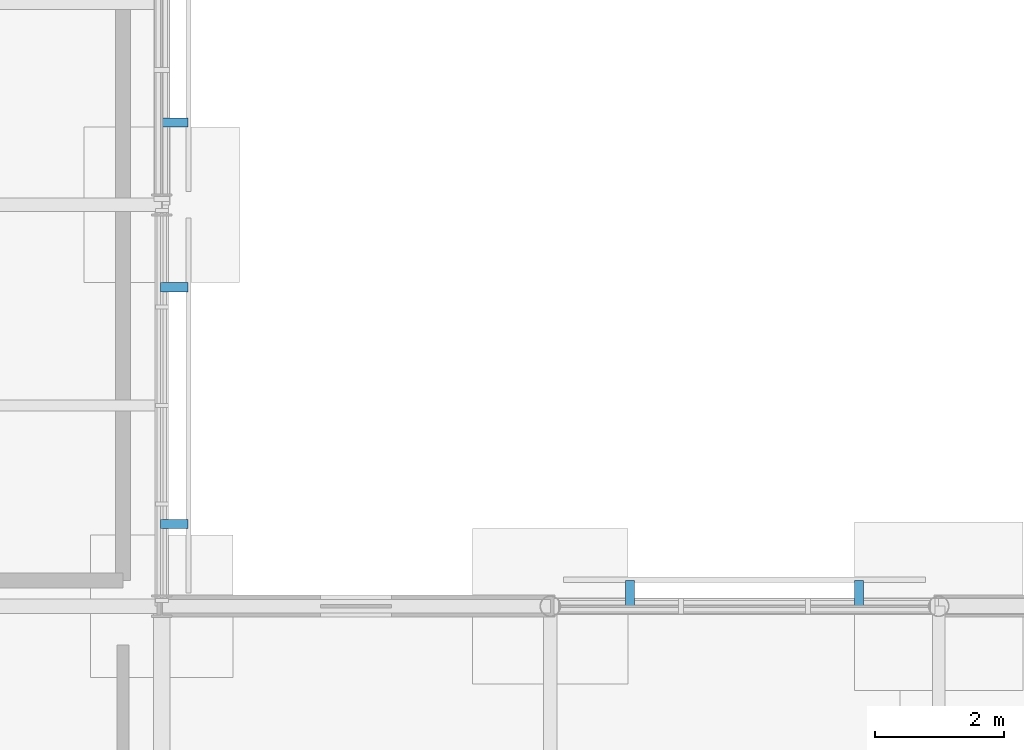
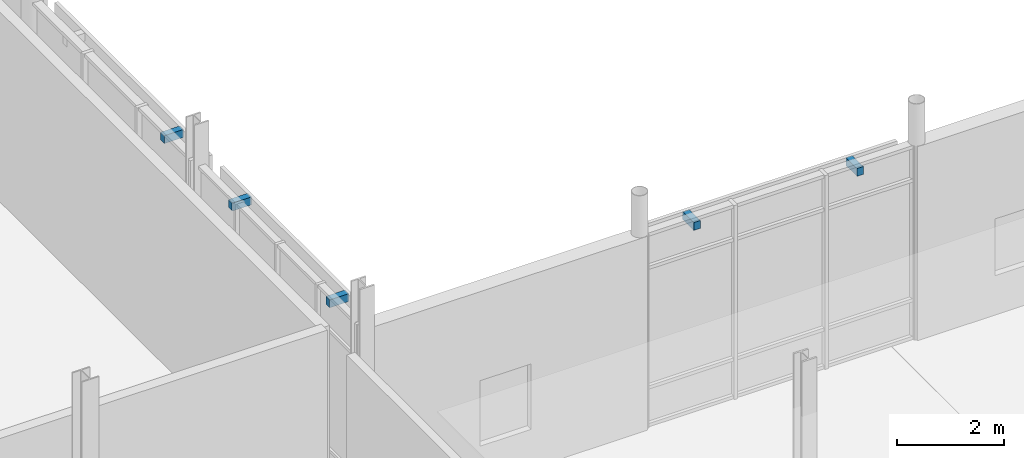
# One storey, part 86 of 98: 5 discrete accessories.
"""IFC4 building model written with IfcOpenShell, lengths in metres."""

import ifcopenshell
import ifcopenshell.guid

model = None  # the IFC model being written
_history = None  # IfcOwnerHistory: only IFC2X3 demands one
_inside = {}  # id of a spatial element -> (the spatial element, [elements in it])
_under = {}  # id of a project, library or spatial element -> (it, [spatial elements below it])
_declared = {}  # id of a project -> (the project, [libraries it declares])
_typed = {}  # id of a type object -> (the type object, [elements of that type])
_made_of = {}  # id of a material, layer set ... -> (it, [elements and type objects made of it])


def new_model(schema):
    """Start an empty IFC model of exactly this schema.

    Asked for "IFC4X3", IfcOpenShell would pick the latest addendum, in which some entities
    have other attributes; the version numbers below select the first issue.
    IFC2X3 requires an IfcOwnerHistory on every rooted entity: one is made here for all.
    """
    global model, _history
    if schema == "IFC4X3":
        model = ifcopenshell.file(schema_version=(4, 3, 0, 0))
    else:
        model = ifcopenshell.file(schema=schema)
    _inside.clear()
    _under.clear()
    _declared.clear()
    _typed.clear()
    _made_of.clear()
    _history = None
    if model.schema == "IFC2X3":
        org = make("IfcOrganization", Name="unknown")
        user = make(
            "IfcPersonAndOrganization",
            ThePerson=make("IfcPerson", FamilyName="unknown"),
            TheOrganization=org,
        )
        app = make(
            "IfcApplication",
            ApplicationDeveloper=org,
            Version="unknown",
            ApplicationFullName="unknown",
            ApplicationIdentifier="unknown",
        )
        _history = make(
            "IfcOwnerHistory",
            OwningUser=user,
            OwningApplication=app,
            ChangeAction="ADDED",
            CreationDate=0,
        )
    return model


def make(cls, **values):
    """One entity of the class cls with the attributes given. An attribute that is None is left unset."""
    return model.create_entity(
        cls, **{name: value for name, value in values.items() if value is not None}
    )


def rooted(cls, **values):
    """An entity with a GlobalId (a new one), such as an element, a storey or a relation."""
    return make(cls, GlobalId=ifcopenshell.guid.new(), OwnerHistory=_history, **values)


def si_unit(unit_type, name, prefix=None):
    """IfcSIUnit, for example si_unit("LENGTHUNIT", "METRE", prefix="MILLI")."""
    return make("IfcSIUnit", UnitType=unit_type, Prefix=prefix, Name=name)


def assignment(units):
    """IfcUnitAssignment: the units of a project."""
    return None if units is None else make("IfcUnitAssignment", Units=units)


def point(xyz):
    """IfcCartesianPoint."""
    return None if xyz is None else make("IfcCartesianPoint", Coordinates=xyz)


def direction(xyz):
    """IfcDirection."""
    return None if xyz is None else make("IfcDirection", DirectionRatios=xyz)


def frame(location, z_axis=None, x_axis=None):
    """IfcAxis2Placement3D, a coordinate frame: its origin and axes. An axis left out is left unset."""
    return make(
        "IfcAxis2Placement3D",
        Location=point(location),
        Axis=direction(z_axis),
        RefDirection=direction(x_axis),
    )


def frame_2d(location, x_axis=None):
    """IfcAxis2Placement2D, a coordinate frame in the plane: its origin and x axis."""
    return make(
        "IfcAxis2Placement2D", Location=point(location), RefDirection=direction(x_axis)
    )


def origin():
    """The frame at (0, 0, 0) with its axes left unset."""
    return frame((0.0, 0.0, 0.0))


def origin_2d():
    """The frame at (0, 0) in the plane with its x axis left unset."""
    return frame_2d((0.0, 0.0))


def place(relative_to, where):
    """IfcLocalPlacement: puts the frame where relative to a parent placement (None: the world)."""
    return make(
        "IfcLocalPlacement", PlacementRelTo=relative_to, RelativePlacement=where
    )


def context(
    kind, dimensions, precision=None, world=None, true_north=None, identifier=None
):
    """IfcGeometricRepresentationContext, for example the 3D "Model" context."""
    return make(
        "IfcGeometricRepresentationContext",
        ContextIdentifier=identifier,
        ContextType=kind,
        CoordinateSpaceDimension=dimensions,
        Precision=precision,
        WorldCoordinateSystem=world,
        TrueNorth=true_north,
    )


def subcontext(parent, identifier, kind, view, scale=None):
    """IfcGeometricRepresentationSubContext, for example "Body" below "Model"."""
    return make(
        "IfcGeometricRepresentationSubContext",
        ContextIdentifier=identifier,
        ContextType=kind,
        ParentContext=parent,
        TargetScale=scale,
        TargetView=view,
    )


def project(units=None, contexts=None):
    """IfcProject with its units and contexts."""
    return rooted(
        "IfcProject",
        Name="project",
        RepresentationContexts=contexts,
        UnitsInContext=assignment(units),
    )


def spatial(cls, under=None, at=None, **own):
    """A site, building, storey or space (cls), placed at a placement, below another one or the project."""
    s = rooted(cls, ObjectPlacement=at, **own)
    if under is not None:
        _under.setdefault(under.id(), (under, []))[1].append(s)
    return s


def profile(cls, at=None, kind="AREA", **sizes):
    """A parametric profile (cls). Its sizes go by their IFC names, for example OverallWidth=200.0."""
    return make(cls, ProfileType=kind, Position=at, **sizes)


def rectangle(**sizes):
    """IfcRectangleProfileDef."""
    return profile("IfcRectangleProfileDef", **sizes)


def extrude(swept, where, along, depth):
    """IfcExtrudedAreaSolid: the profile swept, set in the frame where, extruded along a direction by depth."""
    return make(
        "IfcExtrudedAreaSolid",
        SweptArea=swept,
        Position=where,
        ExtrudedDirection=direction(along),
        Depth=depth,
    )


def shape(context_of_items, identifier, shape_type, items):
    """IfcShapeRepresentation: the items that make up one representation, for example the "Body"."""
    return make(
        "IfcShapeRepresentation",
        ContextOfItems=context_of_items,
        RepresentationIdentifier=identifier,
        RepresentationType=shape_type,
        Items=items,
    )


def material(Name=None, Category=None):
    """IfcMaterial."""
    return make("IfcMaterial", Name=Name, Category=Category)


def made_of(thing, what):
    """Note that an element or type object is made of a material, layer set ...; save() writes the relation."""
    if what is not None:
        _made_of.setdefault(what.id(), (what, []))[1].append(thing)
    return thing


def type_object(cls, material=None, **own):
    """A type object (cls), such as IfcWallType, which elements share."""
    return made_of(rooted(cls, **own), material)


def element(
    cls,
    number,
    at=None,
    inside=None,
    cuts=None,
    type_object=None,
    material=None,
    context=None,
    identifier="Body",
    shape_type=None,
    held_by="IfcProductDefinitionShape",
    body=None,
    shapes=None,
    **own,
):
    """One element of the class cls, such as IfcWall. Its Tag is "e" and its number.

    at: its placement. inside: the storey or other place that contains it. cuts: it is an
    opening in that element (IfcRelVoidsElement). A single representation is given by context,
    identifier, shape_type and body (its items); several are given by shapes. held_by: the class
    of the entity that holds the representations. save() writes the other relations.
    """
    e = rooted(cls, Tag="e%d" % number, ObjectPlacement=at, **own)
    if body is not None:
        shapes = [shape(context, identifier, shape_type, body)]
    if shapes is not None:
        e.Representation = make(held_by, Representations=shapes)
    if inside is not None:
        _inside.setdefault(inside.id(), (inside, []))[1].append(e)
    if cuts is not None:
        rooted(
            "IfcRelVoidsElement", RelatingBuildingElement=cuts, RelatedOpeningElement=e
        )
    if type_object is not None:
        _typed.setdefault(type_object.id(), (type_object, []))[1].append(e)
    return made_of(e, material)


def aggregate(whole, parts):
    """IfcRelAggregates: a whole, such as a stair, and the parts it consists of."""
    return rooted("IfcRelAggregates", RelatingObject=whole, RelatedObjects=parts)


def save(model, path):
    """Write the relations noted so far, then the file.

    IfcRelAggregates (storeys below a building ...), IfcRelContainedInSpatialStructure (elements
    in a storey), IfcRelDefinesByType, IfcRelAssociatesMaterial and IfcRelDeclares: one each for
    every whole, place, type object, material and project.
    """
    for whole, parts in _under.values():
        aggregate(whole, parts)
    for where, things in _inside.values():
        rooted(
            "IfcRelContainedInSpatialStructure",
            RelatedElements=things,
            RelatingStructure=where,
        )
    for kind, things in _typed.values():
        rooted("IfcRelDefinesByType", RelatedObjects=things, RelatingType=kind)
    for what, things in _made_of.values():
        rooted("IfcRelAssociatesMaterial", RelatedObjects=things, RelatingMaterial=what)
    for by, libraries in _declared.values():
        rooted("IfcRelDeclares", RelatingContext=by, RelatedDefinitions=libraries)
    model.write(path)


model = new_model("IFC4")

# Units and contexts
model_context = context("Model", 3, precision=1e-05, world=origin(), true_north=direction((0.0, 1.0)))
body_context = subcontext(model_context, "Body", "Model", "MODEL_VIEW")
ifc_project = project(units=[si_unit("LENGTHUNIT", "METRE"), si_unit("AREAUNIT", "SQUARE_METRE"), si_unit("VOLUMEUNIT", "CUBIC_METRE"), si_unit("PLANEANGLEUNIT", "RADIAN"), si_unit("MASSUNIT", "GRAM", prefix="KILO")], contexts=[model_context])

# Site, building, storey
site_placement = place(None, origin())
site = spatial("IfcSite", under=ifc_project, at=site_placement, CompositionType="ELEMENT")
building_placement = place(site_placement, origin())
building = spatial("IfcBuilding", under=site, at=building_placement, Name="Mirzam Square Science Centre", CompositionType="ELEMENT")
storey_placement = place(building_placement, origin())
storey = spatial("IfcBuildingStorey", under=building, at=storey_placement, Name="L00", CompositionType="ELEMENT", Elevation=0.0)

# Discrete accessories
ifc_material = material(Name="Steel S355", Category="steel")
discrete_accessory_type = type_object("IfcDiscreteAccessoryType", Name="BRK-BRISE-STEEL", PredefinedType="BRACKET", material=ifc_material)
for number, where, z_axis, x_axis, name in (
    (1, (148.76708984375, 86.989990234375, 4.10009765625), (0.0, 0.0, 1.0), (-1.0, 0.0, 0.0), "L00 brise-soleil support bracket 60"),
    (2, (145.23291015625, 86.989990234375, 4.10009765625), (0.0, 0.0, 1.0), (-1.0, 0.0, 0.0), "L00 brise-soleil support bracket 60"),
    (3, (138.18994140625, 88.072998046875, 4.10009765625), (0.0, 0.0, 1.0), (0.0, 1.0, 0.0), "L00 brise-soleil support bracket 66"),
    (4, (138.18994140625, 91.72705078125, 4.10009765625), (0.0, 0.0, 1.0), (0.0, 1.0, 0.0), "L00 brise-soleil support bracket 66"),
    (5, (138.18994140625, 94.27294921875, 4.10009765625), (0.0, 0.0, 1.0), (0.0, 1.0, 0.0), "L00 brise-soleil support bracket 67"),
):
    element("IfcDiscreteAccessory", number, at=place(storey_placement, frame(where, z_axis=z_axis, x_axis=x_axis)), inside=storey, type_object=discrete_accessory_type, Name=name, PredefinedType="BRACKET", context=body_context, shape_type="SweptSolid", body=[
        extrude(rectangle(XDim=0.139892578125, YDim=0.419921875, at=origin_2d()), origin(), (0.0, 0.0, 1.0), 0.179931640625),
    ])

save(model, "model.ifc")
